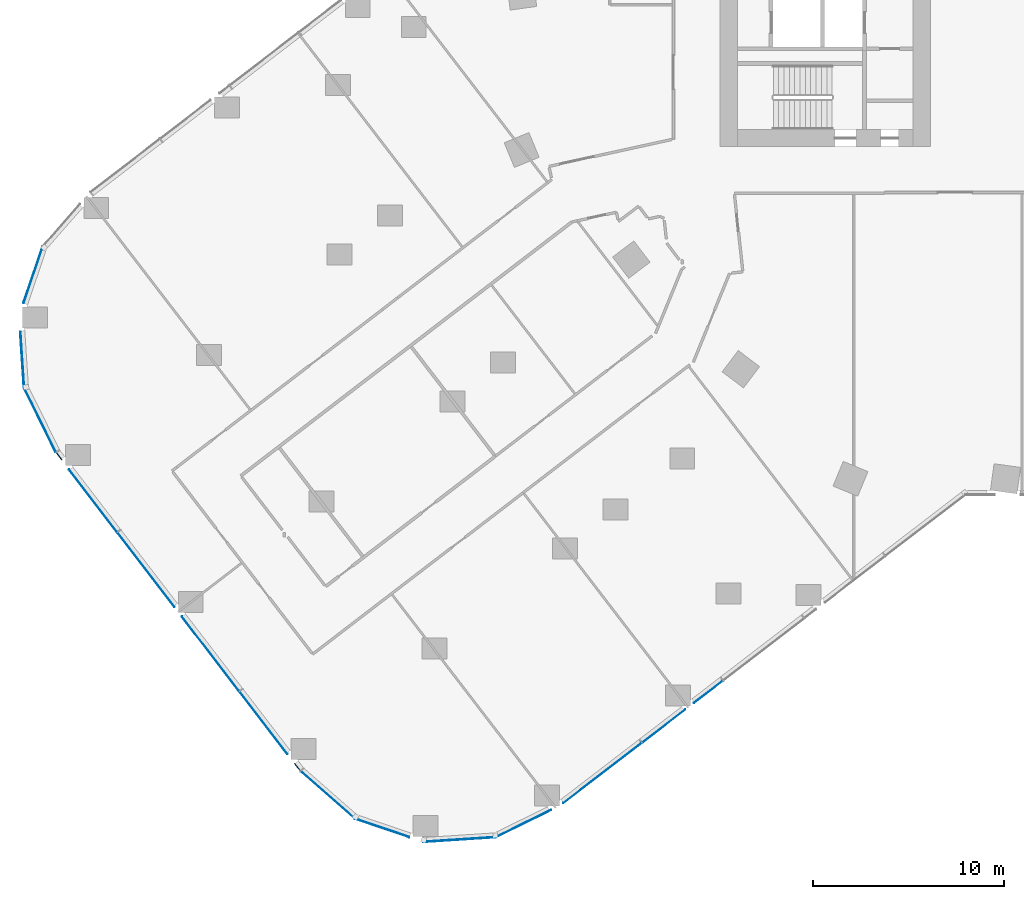
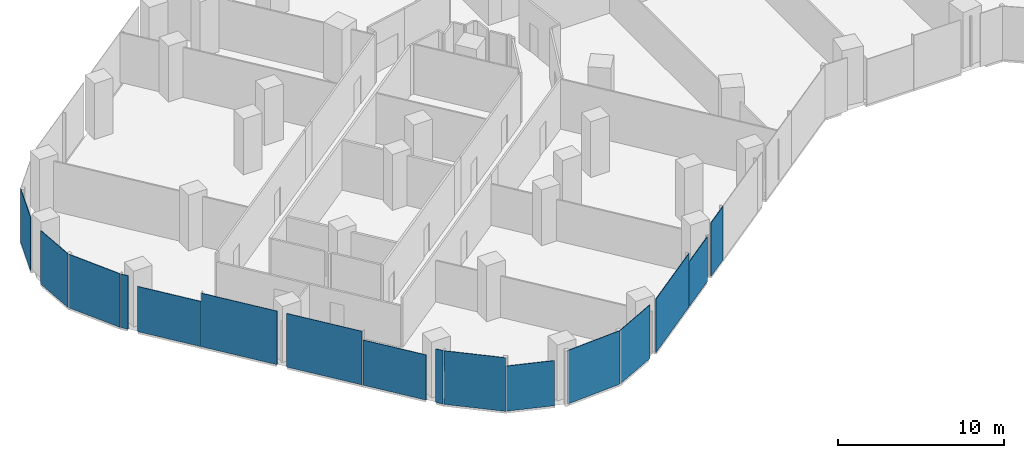
# One storey, part 14 of 29: 16 plates, 9 elements without a shape of their own.
"""IFC4 building model written with IfcOpenShell, lengths in metres."""

from ifc_helpers import new_model, si_unit, direction, frame, origin, origin_2d, place, context, subcontext, project, spatial, rectangle, extrude, material, layer, layer_set, type_object, element, aggregate, save


model = new_model("IFC4")

# Units and contexts
model_context = context("Model", 3, precision=1e-05, world=origin(), true_north=direction((0.0, 1.0)))
body_context = subcontext(model_context, "Body", "Model", "MODEL_VIEW")
ifc_project = project(units=[si_unit("LENGTHUNIT", "METRE"), si_unit("AREAUNIT", "SQUARE_METRE"), si_unit("VOLUMEUNIT", "CUBIC_METRE"), si_unit("PLANEANGLEUNIT", "RADIAN"), si_unit("MASSUNIT", "GRAM", prefix="KILO")], contexts=[model_context])

# Site, building, storey
site_placement = place(None, origin())
site = spatial("IfcSite", under=ifc_project, at=site_placement, CompositionType="ELEMENT")
building_placement = place(site_placement, origin())
building = spatial("IfcBuilding", under=site, at=building_placement, Name="Orlundy Tower", CompositionType="ELEMENT")
storey_placement = place(building_placement, frame((0.0, 0.0, 29.199951171875)))
storey = spatial("IfcBuildingStorey", under=building, at=storey_placement, Name="L05", CompositionType="ELEMENT", Elevation=29.199951171875)

# Curtain wall, plates
ifc_material_1 = material(Name="Aluminium bronze anodised", Category="aluminium")
curtain_wall_type = type_object("IfcCurtainWallType", Name="CW2 wall", PredefinedType="NOTDEFINED", material=ifc_material_1)
curtain_wall_1_placement = place(storey_placement, origin())
curtain_wall_1 = element("IfcCurtainWall", 1, at=curtain_wall_1_placement, inside=storey, type_object=curtain_wall_type, Name="CW2 run 02", PredefinedType="NOTDEFINED")
ifc_material_2 = material(Name="Tinted glass", Category="glass")
ifc_layer = layer(ifc_material_2, 0.0380859375)
ifc_layer_set = layer_set([ifc_layer], Name="CW2 glass panel 38")
plate_type = type_object("IfcPlateType", Name="CW2 glass panel 38", PredefinedType="CURTAIN_PANEL", material=ifc_layer_set)
plate_1_placement = place(storey_placement, frame((-19.620849609375, -40.556396484375, -0.25), z_axis=(0.0, 0.0, 1.0), x_axis=(-0.793352099111, -0.608763046543, 0.0)))
plate_1 = element("IfcPlate", 2, at=plate_1_placement, type_object=plate_type, Name="CW2 panel", PredefinedType="CURTAIN_PANEL", context=body_context, shape_type="SweptSolid", body=[
    extrude(rectangle(XDim=1.888671875, YDim=0.0380859375, at=origin_2d()), origin(), (0.0, 0.0, 1.0), 3.929931640625),
])
plate_2_placement = place(storey_placement, frame((-21.95703125, -42.34912109375, -0.25), z_axis=(0.0, 0.0, 1.0), x_axis=(-0.793352099111, -0.608763046543, 0.0)))
plate_2 = element("IfcPlate", 3, at=plate_2_placement, type_object=plate_type, Name="CW2 panel", PredefinedType="CURTAIN_PANEL", context=body_context, shape_type="SweptSolid", body=[
    extrude(rectangle(XDim=2.83544921875, YDim=0.0380859375, at=origin_2d()), origin(), (0.0, 0.0, 1.0), 3.2900390625),
])
plate_3_placement = place(storey_placement, frame((-25.171630859375, -44.815673828125, -0.25), z_axis=(0.0, 0.0, 1.0), x_axis=(-0.793352099111, -0.608763046543, 0.0)))
plate_3 = element("IfcPlate", 4, at=plate_3_placement, type_object=plate_type, Name="CW2 panel", PredefinedType="CURTAIN_PANEL", context=body_context, shape_type="SweptSolid", body=[
    extrude(rectangle(XDim=5.168701171875, YDim=0.0380859375, at=origin_2d()), origin(), (0.0, 0.0, 1.0), 3.929931640625),
])
aggregate(curtain_wall_1, [plate_1, plate_2, plate_3])

# Curtain wall, plate
curtain_wall_2_placement = place(storey_placement, origin())
curtain_wall_2 = element("IfcCurtainWall", 5, at=curtain_wall_2_placement, inside=storey, type_object=curtain_wall_type, Name="CW2 run 03", PredefinedType="NOTDEFINED")
plate_4_placement = place(storey_placement, frame((-29.3017578125, -47.455322265625, -0.25), z_axis=(0.0, 0.0, 1.0), x_axis=(-0.896841554905, -0.442351924824, 0.0)))
plate_4 = element("IfcPlate", 6, at=plate_4_placement, type_object=plate_type, Name="CW2 panel", PredefinedType="CURTAIN_PANEL", context=body_context, shape_type="SweptSolid", body=[
    extrude(rectangle(XDim=3.242919921875, YDim=0.0380859375, at=origin_2d()), origin(), (0.0, 0.0, 1.0), 3.929931640625),
])
aggregate(curtain_wall_2, [plate_4])

curtain_wall_3_placement = place(storey_placement, origin())
curtain_wall_3 = element("IfcCurtainWall", 7, at=curtain_wall_3_placement, inside=storey, type_object=curtain_wall_type, Name="CW2 run 04", PredefinedType="NOTDEFINED")
plate_5_placement = place(storey_placement, frame((-32.6513671875, -48.29638671875, -0.25), z_axis=(0.0, 0.0, 1.0), x_axis=(-0.997866755389, -0.065283523877, 0.0)))
plate_5 = element("IfcPlate", 8, at=plate_5_placement, type_object=plate_type, Name="CW2 panel", PredefinedType="CURTAIN_PANEL", context=body_context, shape_type="SweptSolid", body=[
    extrude(rectangle(XDim=3.798828125, YDim=0.0380859375, at=origin_2d()), origin(), (0.0, 0.0, 1.0), 3.929931640625),
])
aggregate(curtain_wall_3, [plate_5])

curtain_wall_4_placement = place(storey_placement, origin())
curtain_wall_4 = element("IfcCurtainWall", 9, at=curtain_wall_4_placement, inside=storey, type_object=curtain_wall_type, Name="CW2 run 05", PredefinedType="NOTDEFINED")
plate_6_placement = place(storey_placement, frame((-36.71533203125, -47.6845703125, -0.25), z_axis=(0.0, 0.0, 1.0), x_axis=(-0.946969904911, 0.32132226688, 0.0)))
plate_6 = element("IfcPlate", 10, at=plate_6_placement, type_object=plate_type, Name="CW2 panel", PredefinedType="CURTAIN_PANEL", context=body_context, shape_type="SweptSolid", body=[
    extrude(rectangle(XDim=3.016845703125, YDim=0.0380859375, at=origin_2d()), origin(), (0.0, 0.0, 1.0), 3.31396484375),
])
aggregate(curtain_wall_4, [plate_6])

curtain_wall_5_placement = place(storey_placement, origin())
curtain_wall_5 = element("IfcCurtainWall", 11, at=curtain_wall_5_placement, inside=storey, type_object=curtain_wall_type, Name="CW2 run 06", PredefinedType="NOTDEFINED")
plate_7_placement = place(storey_placement, frame((-39.5537109375, -45.963623046875, -0.25), z_axis=(0.0, 0.0, 1.0), x_axis=(-0.751857647447, 0.65932547196, 0.0)))
plate_7 = element("IfcPlate", 12, at=plate_7_placement, type_object=plate_type, Name="CW2 panel", PredefinedType="CURTAIN_PANEL", context=body_context, shape_type="SweptSolid", body=[
    extrude(rectangle(XDim=3.75048828125, YDim=0.0380859375, at=origin_2d()), origin(), (0.0, 0.0, 1.0), 3.929931640625),
])
aggregate(curtain_wall_5, [plate_7])

# Curtain wall, plates
curtain_wall_6_placement = place(storey_placement, origin())
curtain_wall_6 = element("IfcCurtainWall", 13, at=curtain_wall_6_placement, inside=storey, type_object=curtain_wall_type, Name="CW2 run 07", PredefinedType="NOTDEFINED")
plate_8_placement = place(storey_placement, frame((-41.146728515625, -44.496337890625, -0.25), z_axis=(0.0, 0.0, 1.0), x_axis=(-0.608748393046, 0.793363342967, 0.0)))
plate_8 = element("IfcPlate", 14, at=plate_8_placement, type_object=plate_type, Name="CW2 panel", PredefinedType="CURTAIN_PANEL", context=body_context, shape_type="SweptSolid", body=[
    extrude(rectangle(XDim=0.489990234375, YDim=0.0380859375, at=origin_2d()), origin(), (0.0, 0.0, 1.0), 3.929931640625),
])
plate_9_placement = place(storey_placement, frame((-42.925537109375, -42.17822265625, -0.25), z_axis=(0.0, 0.0, 1.0), x_axis=(-0.608748393046, 0.793363342967, 0.0)))
plate_9 = element("IfcPlate", 15, at=plate_9_placement, type_object=plate_type, Name="CW2 panel", PredefinedType="CURTAIN_PANEL", context=body_context, shape_type="SweptSolid", body=[
    extrude(rectangle(XDim=4.11181640625, YDim=0.0380859375, at=origin_2d()), origin(), (0.0, 0.0, 1.0), 3.31396484375),
])
plate_10_placement = place(storey_placement, frame((-45.704345703125, -38.556884765625, -0.25), z_axis=(0.0, 0.0, 1.0), x_axis=(-0.608748393046, 0.793363342967, 0.0)))
plate_10 = element("IfcPlate", 16, at=plate_10_placement, type_object=plate_type, Name="CW2 panel", PredefinedType="CURTAIN_PANEL", context=body_context, shape_type="SweptSolid", body=[
    extrude(rectangle(XDim=4.917724609375, YDim=0.0380859375, at=origin_2d()), origin(), (0.0, 0.0, 1.0), 3.929931640625),
])
plate_11_placement = place(storey_placement, frame((-49.073974609375, -34.1650390625, -0.25), z_axis=(0.0, 0.0, 1.0), x_axis=(-0.608748393046, 0.793363342967, 0.0)))
plate_11 = element("IfcPlate", 17, at=plate_11_placement, type_object=plate_type, Name="CW2 panel", PredefinedType="CURTAIN_PANEL", context=body_context, shape_type="SweptSolid", body=[
    extrude(rectangle(XDim=4.911865234375, YDim=0.0380859375, at=origin_2d()), origin(), (0.0, 0.0, 1.0), 3.929931640625),
])
plate_12_placement = place(storey_placement, frame((-51.8525390625, -30.5439453125, -0.25), z_axis=(0.0, 0.0, 1.0), x_axis=(-0.608748393046, 0.793363342967, 0.0)))
plate_12 = element("IfcPlate", 18, at=plate_12_placement, type_object=plate_type, Name="CW2 panel", PredefinedType="CURTAIN_PANEL", context=body_context, shape_type="SweptSolid", body=[
    extrude(rectangle(XDim=4.11669921875, YDim=0.0380859375, at=origin_2d()), origin(), (0.0, 0.0, 1.0), 3.31396484375),
])
plate_13_placement = place(storey_placement, frame((-53.630859375, -28.226318359375, -0.25), z_axis=(0.0, 0.0, 1.0), x_axis=(-0.608748393046, 0.793363342967, 0.0)))
plate_13 = element("IfcPlate", 19, at=plate_13_placement, type_object=plate_type, Name="CW2 panel", PredefinedType="CURTAIN_PANEL", context=body_context, shape_type="SweptSolid", body=[
    extrude(rectangle(XDim=0.48583984375, YDim=0.0380859375, at=origin_2d()), origin(), (0.0, 0.0, 1.0), 3.929931640625),
])
aggregate(curtain_wall_6, [plate_8, plate_9, plate_10, plate_11, plate_12, plate_13])

# Curtain wall, plate
curtain_wall_7_placement = place(storey_placement, origin())
curtain_wall_7 = element("IfcCurtainWall", 20, at=curtain_wall_7_placement, inside=storey, type_object=curtain_wall_type, Name="CW2 run 08", PredefinedType="NOTDEFINED")
plate_14_placement = place(storey_placement, frame((-54.63427734375, -26.3095703125, -0.25), z_axis=(0.0, 0.0, 1.0), x_axis=(-0.442241939743, 0.896895794801, 0.0)))
plate_14 = element("IfcPlate", 21, at=plate_14_placement, type_object=plate_type, Name="CW2 panel", PredefinedType="CURTAIN_PANEL", context=body_context, shape_type="SweptSolid", body=[
    extrude(rectangle(XDim=3.749755859375, YDim=0.0380859375, at=origin_2d()), origin(), (0.0, 0.0, 1.0), 3.929931640625),
])
aggregate(curtain_wall_7, [plate_14])

curtain_wall_8_placement = place(storey_placement, origin())
curtain_wall_8 = element("IfcCurtainWall", 22, at=curtain_wall_8_placement, inside=storey, type_object=curtain_wall_type, Name="CW2 run 09", PredefinedType="NOTDEFINED")
plate_15_placement = place(storey_placement, frame((-55.559326171875, -23.161865234375, -0.25), z_axis=(0.0, 0.0, 1.0), x_axis=(-0.065283523877, 0.997866755389, 0.0)))
plate_15 = element("IfcPlate", 23, at=plate_15_placement, type_object=plate_type, Name="CW2 panel", PredefinedType="CURTAIN_PANEL", context=body_context, shape_type="SweptSolid", body=[
    extrude(rectangle(XDim=2.938232421875, YDim=0.0380859375, at=origin_2d()), origin(), (0.0, 0.0, 1.0), 3.929931640625),
])
aggregate(curtain_wall_8, [plate_15])

curtain_wall_9_placement = place(storey_placement, origin())
curtain_wall_9 = element("IfcCurtainWall", 24, at=curtain_wall_9_placement, inside=storey, type_object=curtain_wall_type, Name="CW2 run 010", PredefinedType="NOTDEFINED")
plate_16_placement = place(storey_placement, frame((-54.992431640625, -18.718017578125, -0.25), z_axis=(0.0, 0.0, 1.0), x_axis=(0.32132226688, 0.946969904911, 0.0)))
plate_16 = element("IfcPlate", 25, at=plate_16_placement, type_object=plate_type, Name="CW2 panel", PredefinedType="CURTAIN_PANEL", context=body_context, shape_type="SweptSolid", body=[
    extrude(rectangle(XDim=3.121337890625, YDim=0.0380859375, at=origin_2d()), origin(), (0.0, 0.0, 1.0), 3.929931640625),
])
aggregate(curtain_wall_9, [plate_16])

save(model, "model.ifc")
